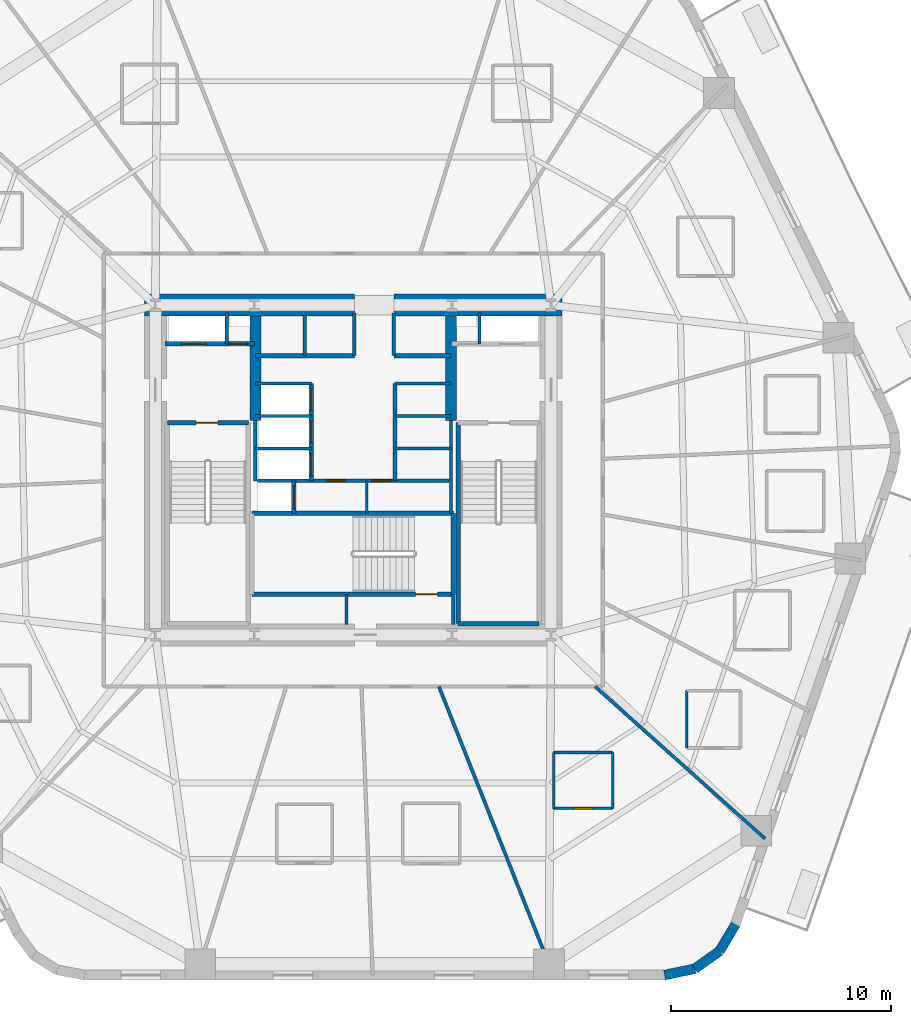
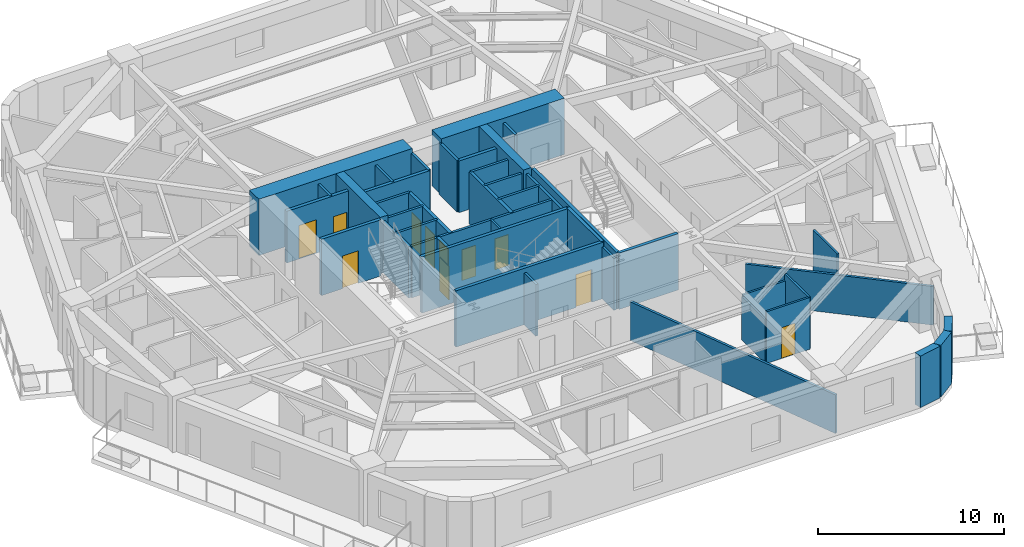
# One storey, part 4 of 10: 43 walls, 11 doors, 11 openings.
"""IFC4 building model written with IfcOpenShell, lengths in metres."""

from ifc_helpers import new_model, si_unit, direction, frame, frame_2d, origin, place, context, subcontext, project, spatial, rectangle, extrude, material, layer, layer_set, type_object, element, fill, save


model = new_model("IFC4")

# Units and contexts
model_context = context("Model", 3, precision=1e-05, world=origin(), true_north=direction((0.0, 1.0)))
body_context = subcontext(model_context, "Body", "Model", "MODEL_VIEW")
ifc_project = project(units=[si_unit("LENGTHUNIT", "METRE"), si_unit("AREAUNIT", "SQUARE_METRE"), si_unit("VOLUMEUNIT", "CUBIC_METRE"), si_unit("PLANEANGLEUNIT", "RADIAN"), si_unit("MASSUNIT", "GRAM", prefix="KILO")], contexts=[model_context])

# Site, building, storey
site_placement = place(None, origin())
site = spatial("IfcSite", under=ifc_project, at=site_placement, CompositionType="ELEMENT")
building_placement = place(site_placement, origin())
building = spatial("IfcBuilding", under=site, at=building_placement, Name="Kilnhurst Terrace Hotel", CompositionType="ELEMENT")
storey_placement = place(building_placement, frame((0.0, 0.0, 52.699951171875)))
storey = spatial("IfcBuildingStorey", under=building, at=storey_placement, Name="L11", CompositionType="ELEMENT", Elevation=52.699951171875)

# Walls
ifc_material_1 = material(Name="Precast concrete C40/50", Category="concrete")
ifc_layer_1 = layer(ifc_material_1, 0.449951171875, Name="Precast concrete C40/50")
ifc_layer_set_1 = layer_set([ifc_layer_1], Name="Precast concrete C40/50")
wall_type_1 = type_object("IfcWallType", Name="WL-BRK-450", PredefinedType="SOLIDWALL", material=ifc_layer_set_1)
wall_1_placement = place(storey_placement, frame((14.168212890625, -22.97509765625, 0.0), z_axis=(0.0, 0.0, 1.0), x_axis=(0.978770371074, 0.204959900243, 0.0)))
element("IfcWall", 1, at=wall_1_placement, inside=storey, type_object=wall_type_1, Name="L11 Rounded Corner Brick Wall C2.1", PredefinedType="SOLIDWALL", context=body_context, shape_type="SweptSolid", body=[
    extrude(rectangle(XDim=1.405517578125, YDim=0.449951171875, at=frame_2d((0.70263671875, 0.0))), origin(), (0.0, 0.0, 1.0), 3.400146484375),
])
wall_2_placement = place(storey_placement, frame((15.5439453125, -22.68701171875, 0.0), z_axis=(0.0, 0.0, 1.0), x_axis=(0.814210854316, 0.580569276412, 0.0)))
element("IfcWall", 2, at=wall_2_placement, inside=storey, type_object=wall_type_1, Name="L11 Rounded Corner Brick Wall C2.2", PredefinedType="SOLIDWALL", context=body_context, shape_type="SweptSolid", body=[
    extrude(rectangle(XDim=1.38134765625, YDim=0.449951171875, at=frame_2d((0.690673828125, 0.0))), origin(), (0.0, 0.0, 1.0), 3.400146484375),
])
wall_3_placement = place(storey_placement, frame((16.668701171875, -21.885009765625, 0.0), z_axis=(0.0, 0.0, 1.0), x_axis=(0.512936712947, 0.858426425799, 0.0)))
element("IfcWall", 3, at=wall_3_placement, inside=storey, type_object=wall_type_1, Name="L11 Rounded Corner Brick Wall C2.3", PredefinedType="SOLIDWALL", context=body_context, shape_type="SweptSolid", body=[
    extrude(rectangle(XDim=1.405517578125, YDim=0.449951171875, at=frame_2d((0.70263671875, 0.0))), origin(), (0.0, 0.0, 1.0), 3.400146484375),
])
ifc_material_2 = material(Name="Concrete C80/95", Category="concrete")
ifc_layer_2 = layer(ifc_material_2, 1.0, Name="Concrete C80/95")
ifc_layer_set_2 = layer_set([ifc_layer_2], Name="Concrete C80/95")
wall_type_2 = type_object("IfcWallType", Name="WL-CORE-1000", PredefinedType="SHEAR", material=ifc_layer_set_2)
wall_4_placement = place(storey_placement, frame((-9.5, 7.5, 0.0), z_axis=(0.0, 0.0, 1.0), x_axis=(1.0, 0.0, 0.0)))
element("IfcWall", 4, at=wall_4_placement, inside=storey, type_object=wall_type_2, Name="L11 Core North West Shear Wall", PredefinedType="SHEAR", context=body_context, shape_type="SweptSolid", body=[
    extrude(rectangle(XDim=9.550048828125, YDim=1.0, at=frame_2d((4.77490234375, 0.0))), origin(), (0.0, 0.0, 1.0), 3.699951171875),
])
wall_5_placement = place(storey_placement, frame((1.85009765625, 7.5, 0.0), z_axis=(0.0, 0.0, 1.0), x_axis=(1.0, 0.0, 0.0)))
element("IfcWall", 5, at=wall_5_placement, inside=storey, type_object=wall_type_2, Name="L11 Core North East Shear Wall", PredefinedType="SHEAR", context=body_context, shape_type="SweptSolid", body=[
    extrude(rectangle(XDim=7.64990234375, YDim=1.0, at=frame_2d((3.824951171875, 0.0))), origin(), (0.0, 0.0, 1.0), 3.699951171875),
])
ifc_material_3 = material(Name="Concrete C60/75", Category="concrete")
ifc_layer_3 = layer(ifc_material_3, 0.5, Name="Concrete C60/75")
ifc_layer_set_3 = layer_set([ifc_layer_3], Name="Concrete C60/75")
wall_type_3 = type_object("IfcWallType", Name="WL-CORE-WEB-500", PredefinedType="SHEAR", material=ifc_layer_set_3)
for number, where, z_axis, x_axis, name in (
    (6, (-4.449951171875, 2.25, 0.0), (0.0, 0.0, 1.0), (0.0, 1.0, 0.0), "L11 Core Internal West Shear Web"),
    (7, (4.449951171875, 2.25, 0.0), (0.0, 0.0, 1.0), (0.0, 1.0, 0.0), "L11 Core Internal East Shear Web"),
):
    element("IfcWall", number, at=place(storey_placement, frame(where, z_axis=z_axis, x_axis=x_axis)), inside=storey, type_object=wall_type_3, Name=name, PredefinedType="SHEAR", context=body_context, shape_type="SweptSolid", body=[
        extrude(rectangle(XDim=4.75, YDim=0.5, at=frame_2d((2.375, 0.0))), origin(), (0.0, 0.0, 1.0), 3.699951171875),
    ])
ifc_material_4 = material(Name="STC-58 Acoustic Twin-Frame Guestroom Demising Partition")
ifc_layer_4 = layer(ifc_material_4, 0.14990234375, Name="STC-58 Acoustic Twin-Frame Guestroom Demising Partition")
ifc_layer_set_4 = layer_set([ifc_layer_4], Name="STC-58 Acoustic Twin-Frame Guestroom Demising Partition")
wall_type_4 = type_object("IfcWallType", Name="WL-DEM-150", PredefinedType="PARTITIONING", material=ifc_layer_set_4)
wall_6_placement = place(storey_placement, frame((3.90185546875, -9.85009765625, 0.0), z_axis=(0.0, 0.0, 1.0), x_axis=(0.36828765711, -0.929711891728, 0.0)))
element("IfcWall", 8, at=wall_6_placement, inside=storey, type_object=wall_type_4, Name="L11 Interior Wall WL-L11-DEM-COL10-16-1", PredefinedType="PARTITIONING", context=body_context, shape_type="SweptSolid", body=[
    extrude(rectangle(XDim=14.1171875, YDim=0.14990234375, at=frame_2d((7.05859375, 0.0))), origin(), (0.0, 0.0, 1.0), 2.5400390625),
])
wall_7_placement = place(storey_placement, frame((11.006591796875, -9.85009765625, 0.0), z_axis=(0.0, 0.0, 1.0), x_axis=(0.745177305978, -0.666866390407, 0.0)))
element("IfcWall", 9, at=wall_7_placement, inside=storey, type_object=wall_type_4, Name="L11 Interior Wall WL-L11-DEM-COL11-17-1", PredefinedType="PARTITIONING", context=body_context, shape_type="SweptSolid", body=[
    extrude(rectangle(XDim=10.375244140625, YDim=0.14990234375, at=frame_2d((5.1875, 0.0))), origin(), (0.0, 0.0, 1.0), 2.5400390625),
])
ifc_material_5 = material(Name="120 mm Moisture-Resistant Tile-Backed Bathroom Partition")
ifc_layer_5 = layer(ifc_material_5, 0.1201171875, Name="120 mm Moisture-Resistant Tile-Backed Bathroom Partition")
ifc_layer_set_5 = layer_set([ifc_layer_5], Name="120 mm Moisture-Resistant Tile-Backed Bathroom Partition")
wall_type_5 = type_object("IfcWallType", Name="WL-PART-120", PredefinedType="PARTITIONING", material=ifc_layer_set_5)
wall_8_placement = place(storey_placement, frame((0.6201171875, -1.971923828125, 0.0), z_axis=(0.0, 0.0, 1.0), x_axis=(0.0, 1.0, 0.0)))
element("IfcWall", 10, at=wall_8_placement, inside=storey, type_object=wall_type_5, Name="L11 Interior Wall WL-L11-BOH-C1", PredefinedType="PARTITIONING", context=body_context, shape_type="SweptSolid", body=[
    extrude(rectangle(XDim=1.471923828125, YDim=0.1201171875, at=frame_2d((0.73583984375, 0.0))), origin(), (0.0, 0.0, 1.0), 3.400146484375),
])

# Wall, opening, door
wall_9_placement = place(storey_placement, frame((9.1220703125, -15.387939453125, 0.0), z_axis=(0.0, 0.0, 1.0), x_axis=(1.0, 0.0, 0.0)))
wall_9 = element("IfcWall", 11, at=wall_9_placement, inside=storey, type_object=wall_type_5, Name="L11 Interior Wall WL-L11-BTH-16-1", PredefinedType="PARTITIONING", context=body_context, shape_type="SweptSolid", body=[
    extrude(rectangle(XDim=2.679931640625, YDim=0.1201171875, at=frame_2d((1.33984375, 0.0))), origin(), (0.0, 0.0, 1.0), 3.400146484375),
])
opening_1_placement = place(wall_9_placement, frame((0.9150390625, 0.0, 0.0)))
opening_1 = element("IfcOpeningElement", 12, at=opening_1_placement, cuts=wall_9, Name="Opening D-08A", PredefinedType="OPENING", context=body_context, shape_type="SweptSolid", body=[
    extrude(rectangle(XDim=0.85009765625, YDim=2.030029296875, at=frame_2d((0.425048828125, 1.01513671875))), frame((0.0, 0.070068359375, 0.0), z_axis=(0.0, -1.0, 0.0), x_axis=(1.0, 0.0, 0.0)), (0.0, 0.0, 1.0), 0.14013671875),
])
ifc_material_6 = material(Name="Moisture-Resistant Lacquered En-suite Bathroom Door")
door_type_1 = type_object("IfcDoorType", Name="DR-INT-850", OperationType="NOTDEFINED", PredefinedType="DOOR", material=ifc_material_6)
door_1_placement = place(opening_1_placement, origin())
door_1 = element("IfcDoor", 13, at=door_1_placement, inside=storey, type_object=door_type_1, Name="L11 En-suite Bathroom Door 16", OperationType="SINGLE_SWING_LEFT", OverallHeight=2.030029296875, OverallWidth=0.85009765625, PredefinedType="DOOR", context=body_context, shape_type="SweptSolid", body=[
    extrude(rectangle(XDim=0.85009765625, YDim=2.030029296875, at=frame_2d((0.425048828125, 1.01513671875))), frame((0.0, 0.02490234375, 0.0), z_axis=(0.0, -1.0, 0.0), x_axis=(1.0, 0.0, 0.0)), (0.0, 0.0, 1.0), 0.050048828125),
])
fill(opening_1, door_1)

# Walls
wall_10_placement = place(storey_placement, frame((11.802001953125, -15.387939453125, 0.0), z_axis=(0.0, 0.0, 1.0), x_axis=(0.0, 1.0, 0.0)))
element("IfcWall", 14, at=wall_10_placement, inside=storey, type_object=wall_type_5, Name="L11 Interior Wall WL-L11-BTH-16-2", PredefinedType="PARTITIONING", context=body_context, shape_type="SweptSolid", body=[
    extrude(rectangle(XDim=2.5400390625, YDim=0.1201171875, at=frame_2d((1.27001953125, 0.0))), origin(), (0.0, 0.0, 1.0), 3.400146484375),
])
wall_11_placement = place(storey_placement, frame((11.802001953125, -12.847900390625, 0.0), z_axis=(0.0, 0.0, 1.0), x_axis=(-1.0, 0.0, 0.0)))
element("IfcWall", 15, at=wall_11_placement, inside=storey, type_object=wall_type_5, Name="L11 Interior Wall WL-L11-BTH-16-3", PredefinedType="PARTITIONING", context=body_context, shape_type="SweptSolid", body=[
    extrude(rectangle(XDim=2.679931640625, YDim=0.1201171875, at=frame_2d((1.33984375, 0.0))), origin(), (0.0, 0.0, 1.0), 2.972412109375),
])
wall_12_placement = place(storey_placement, frame((9.1220703125, -12.847900390625, 0.0), z_axis=(0.0, 0.0, 1.0), x_axis=(0.0, -1.0, 0.0)))
element("IfcWall", 16, at=wall_12_placement, inside=storey, type_object=wall_type_5, Name="L11 Interior Wall WL-L11-BTH-16-4", PredefinedType="PARTITIONING", context=body_context, shape_type="SweptSolid", body=[
    extrude(rectangle(XDim=2.5400390625, YDim=0.1201171875, at=frame_2d((1.27001953125, 0.0))), origin(), (0.0, 0.0, 1.0), 2.840087890625),
])
wall_13_placement = place(storey_placement, frame((15.177978515625, -10.037109375, 0.0), z_axis=(0.0, 0.0, 1.0), x_axis=(0.0, -1.0, 0.0)))
element("IfcWall", 17, at=wall_13_placement, inside=storey, type_object=wall_type_5, Name="L11 Interior Wall WL-L11-BTH-17-4", PredefinedType="PARTITIONING", context=body_context, shape_type="SweptSolid", body=[
    extrude(rectangle(XDim=2.60986328125, YDim=0.1201171875, at=frame_2d((1.304931640625, 0.0))), origin(), (0.0, 0.0, 1.0), 3.400146484375),
])
ifc_material_7 = material(Name="Fire-Rated Gypsum Shaftliner Assembly")
ifc_layer_6 = layer(ifc_material_7, 0.14990234375, Name="Fire-Rated Gypsum Shaftliner Assembly")
ifc_layer_set_6 = layer_set([ifc_layer_6], Name="Fire-Rated Gypsum Shaftliner Assembly")
wall_type_6 = type_object("IfcWallType", Name="WL-SHAFT-150", PredefinedType="PARTITIONING", material=ifc_layer_set_6)
for number, where, z_axis, x_axis, name in (
    (18, (-0.300048828125, -7.02001953125, 0.0), (0.0, 0.0, 1.0), (0.0, 1.0, 0.0), "L11 Interior Wall WL-L11-ST3-PSGW"),
    (19, (4.55810546875, -7.02001953125, 0.0), (0.0, 0.0, 1.0), (0.0, 1.0, 0.0), "L11 Interior Wall WL-L11-ST3-PSGE"),
):
    element("IfcWall", number, at=place(storey_placement, frame(where, z_axis=z_axis, x_axis=x_axis)), inside=storey, type_object=wall_type_6, Name=name, PredefinedType="PARTITIONING", context=body_context, shape_type="SweptSolid", body=[
        extrude(rectangle(XDim=1.362060546875, YDim=0.14990234375, at=frame_2d((0.68115234375, 0.0))), origin(), (0.0, 0.0, 1.0), 3.400146484375),
    ])
for number, where, z_axis, x_axis, name in (
    (20, (-5.75, 5.739990234375, 0.0), (0.0, 0.0, 1.0), (0.0, 1.0, 0.0), "L11 Interior Wall WL-L11-RIS1-DIV"),
    (21, (5.75, 5.739990234375, 0.0), (0.0, 0.0, 1.0), (0.0, 1.0, 0.0), "L11 Interior Wall WL-L11-RIS2-DIV"),
):
    element("IfcWall", number, at=place(storey_placement, frame(where, z_axis=z_axis, x_axis=x_axis)), inside=storey, type_object=wall_type_6, Name=name, PredefinedType="PARTITIONING", context=body_context, shape_type="SweptSolid", body=[
        extrude(rectangle(XDim=1.409912109375, YDim=0.14990234375, at=frame_2d((0.705078125, 0.0))), origin(), (0.0, 0.0, 1.0), 3.400146484375),
    ])
wall_14_placement = place(storey_placement, frame((-2.199951171875, 5.199951171875, 0.0), z_axis=(0.0, 0.0, 1.0), x_axis=(0.0, 1.0, 0.0)))
element("IfcWall", 22, at=wall_14_placement, inside=storey, type_object=wall_type_6, Name="L11 Interior Wall WL-L11-HR-DIV1", PredefinedType="PARTITIONING", context=body_context, shape_type="SweptSolid", body=[
    extrude(rectangle(XDim=1.85009765625, YDim=0.14990234375, at=frame_2d((0.925048828125, 0.0))), origin(), (0.0, 0.0, 1.0), 3.400146484375),
])
for number, where, z_axis, x_axis, name in (
    (23, (0.050048828125, 5.199951171875, 0.0), (0.0, 0.0, 1.0), (0.0, 1.0, 0.0), "L11 Interior Wall WL-L11-HR-PORTAL-W"),
    (24, (1.85009765625, 5.199951171875, 0.0), (0.0, 0.0, 1.0), (0.0, 1.0, 0.0), "L11 Interior Wall WL-L11-HR-PORTAL-E"),
):
    element("IfcWall", number, at=place(storey_placement, frame(where, z_axis=z_axis, x_axis=x_axis)), inside=storey, type_object=wall_type_6, Name=name, PredefinedType="PARTITIONING", context=body_context, shape_type="SweptSolid", body=[
        extrude(rectangle(XDim=1.949951171875, YDim=0.14990234375, at=frame_2d((0.97509765625, 0.0))), origin(), (0.0, 0.0, 1.0), 3.400146484375),
    ])
wall_15_placement = place(storey_placement, frame((-4.449951171875, -0.5, 0.0), z_axis=(0.0, 0.0, 1.0), x_axis=(0.0, 1.0, 0.0)))
element("IfcWall", 25, at=wall_15_placement, inside=storey, type_object=wall_type_6, Name="L11 Interior Wall WL-L11-XLOB-W", PredefinedType="PARTITIONING", context=body_context, shape_type="SweptSolid", body=[
    extrude(rectangle(XDim=2.75, YDim=0.14990234375, at=frame_2d((1.375, 0.0))), origin(), (0.0, 0.0, 1.0), 3.400146484375),
])
wall_16_placement = place(storey_placement, frame((4.449951171875, -1.971923828125, 0.0), z_axis=(0.0, 0.0, 1.0), x_axis=(0.0, 1.0, 0.0)))
element("IfcWall", 26, at=wall_16_placement, inside=storey, type_object=wall_type_6, Name="L11 Interior Wall WL-L11-XLOB-E", PredefinedType="PARTITIONING", context=body_context, shape_type="SweptSolid", body=[
    extrude(rectangle(XDim=4.221923828125, YDim=0.14990234375, at=frame_2d((2.11083984375, 0.0))), origin(), (0.0, 0.0, 1.0), 3.400146484375),
])
for number, where, z_axis, x_axis, name in (
    (27, (-4.449951171875, 3.93994140625, 0.0), (0.0, 0.0, 1.0), (1.0, 0.0, 0.0), "L11 Interior Wall WL-L11-LR-NORTH"),
    (28, (-4.449951171875, 0.97998046875, 0.0), (0.0, 0.0, 1.0), (1.0, 0.0, 0.0), "L11 Interior Wall WL-L11-LR-D1"),
    (29, (-4.449951171875, 2.4599609375, 0.0), (0.0, 0.0, 1.0), (1.0, 0.0, 0.0), "L11 Interior Wall WL-L11-LR-D2"),
    (30, (1.89990234375, 3.93994140625, 0.0), (0.0, 0.0, 1.0), (1.0, 0.0, 0.0), "L11 Interior Wall WL-L11-MR-NORTH"),
    (31, (1.89990234375, 0.97998046875, 0.0), (0.0, 0.0, 1.0), (1.0, 0.0, 0.0), "L11 Interior Wall WL-L11-MR-D1"),
    (32, (1.89990234375, 2.4599609375, 0.0), (0.0, 0.0, 1.0), (1.0, 0.0, 0.0), "L11 Interior Wall WL-L11-MR-D2"),
):
    element("IfcWall", number, at=place(storey_placement, frame(where, z_axis=z_axis, x_axis=x_axis)), inside=storey, type_object=wall_type_6, Name=name, PredefinedType="PARTITIONING", context=body_context, shape_type="SweptSolid", body=[
        extrude(rectangle(XDim=2.550048828125, YDim=0.14990234375, at=frame_2d((1.27490234375, 0.0))), origin(), (0.0, 0.0, 1.0), 3.400146484375),
    ])

# Wall, openings, doors
wall_17_placement = place(storey_placement, frame((-4.360107421875, -0.489990234375, 0.0), z_axis=(0.0, 0.0, 1.0), x_axis=(1.0, 0.0, 0.0)))
wall_17 = element("IfcWall", 33, at=wall_17_placement, inside=storey, type_object=wall_type_6, Name="L11 Interior Wall WL-L11-BOH-N", PredefinedType="PARTITIONING", context=body_context, shape_type="SweptSolid", body=[
    extrude(rectangle(XDim=8.72021484375, YDim=0.14990234375, at=frame_2d((4.360107421875, 0.0))), origin(), (0.0, 0.0, 1.0), 3.400146484375),
])
opening_2_placement = place(wall_17_placement, frame((3.159912109375, 0.0, 0.0)))
opening_2 = element("IfcOpeningElement", 34, at=opening_2_placement, cuts=wall_17, Name="Opening D-60D", PredefinedType="OPENING", context=body_context, shape_type="SweptSolid", body=[
    extrude(rectangle(XDim=0.85009765625, YDim=2.030029296875, at=frame_2d((0.425048828125, 1.01513671875))), frame((0.0, 0.0849609375, 0.0), z_axis=(0.0, -1.0, 0.0), x_axis=(1.0, 0.0, 0.0)), (0.0, 0.0, 1.0), 0.169921875),
])
opening_3_placement = place(wall_17_placement, frame((5.2099609375, 0.0, 0.0)))
opening_3 = element("IfcOpeningElement", 35, at=opening_3_placement, cuts=wall_17, Name="Opening D-60D", PredefinedType="OPENING", context=body_context, shape_type="SweptSolid", body=[
    extrude(rectangle(XDim=0.85009765625, YDim=2.030029296875, at=frame_2d((0.425048828125, 1.01513671875))), frame((0.0, 0.0849609375, 0.0), z_axis=(0.0, -1.0, 0.0), x_axis=(1.0, 0.0, 0.0)), (0.0, 0.0, 1.0), 0.169921875),
])
ifc_material_8 = material(Name="Painted Hollow Metal Steel ASTM A36 Riser Door", Category="steel")
door_type_2 = type_object("IfcDoorType", Name="DR-FD60-850", OperationType="NOTDEFINED", PredefinedType="DOOR", material=ifc_material_8)
door_2_placement = place(opening_2_placement, origin())
door_2 = element("IfcDoor", 36, at=door_2_placement, inside=storey, type_object=door_type_2, Name="L11 Housekeeping Laundry Door", OperationType="SINGLE_SWING_LEFT", OverallHeight=2.030029296875, OverallWidth=0.85009765625, PredefinedType="DOOR", context=body_context, shape_type="SweptSolid", body=[
    extrude(rectangle(XDim=0.85009765625, YDim=2.030029296875, at=frame_2d((0.425048828125, 1.01513671875))), frame((0.0, 0.02490234375, 0.0), z_axis=(0.0, -1.0, 0.0), x_axis=(1.0, 0.0, 0.0)), (0.0, 0.0, 1.0), 0.050048828125),
])
fill(opening_2, door_2)
door_3_placement = place(opening_3_placement, origin())
door_3 = element("IfcDoor", 37, at=door_3_placement, inside=storey, type_object=door_type_2, Name="L11 Room Service Kitchen Door", OperationType="SINGLE_SWING_RIGHT", OverallHeight=2.030029296875, OverallWidth=0.85009765625, PredefinedType="DOOR", context=body_context, shape_type="SweptSolid", body=[
    extrude(rectangle(XDim=0.85009765625, YDim=2.030029296875, at=frame_2d((0.425048828125, 1.01513671875))), frame((0.0, 0.02490234375, 0.0), z_axis=(0.0, -1.0, 0.0), x_axis=(1.0, 0.0, 0.0)), (0.0, 0.0, 1.0), 0.050048828125),
])
fill(opening_3, door_3)

ifc_material_9 = material(Name="Autoclaved Aerated Concrete C30/37 and Gypsum Shaft Assembly", Category="concrete")
ifc_layer_7 = layer(ifc_material_9, 0.199951171875, Name="Autoclaved Aerated Concrete C30/37 and Gypsum Shaft Assembly")
ifc_layer_set_7 = layer_set([ifc_layer_7], Name="Autoclaved Aerated Concrete C30/37 and Gypsum Shaft Assembly")
wall_type_7 = type_object("IfcWallType", Name="WL-SHAFT-200", PredefinedType="PARTITIONING", material=ifc_layer_set_7)
wall_18_placement = place(storey_placement, frame((-8.550048828125, 5.739990234375, 0.0), z_axis=(0.0, 0.0, 1.0), x_axis=(1.0, 0.0, 0.0)))
wall_18 = element("IfcWall", 38, at=wall_18_placement, inside=storey, type_object=wall_type_7, Name="L11 Interior Wall WL-L11-FSAE1-S", PredefinedType="PARTITIONING", context=body_context, shape_type="SweptSolid", body=[
    extrude(rectangle(XDim=4.050048828125, YDim=0.199951171875, at=frame_2d((2.02490234375, 0.0))), origin(), (0.0, 0.0, 1.0), 3.400146484375),
])
opening_4_placement = place(wall_18_placement, frame((0.75, 0.0, 0.0)))
opening_4 = element("IfcOpeningElement", 39, at=opening_4_placement, cuts=wall_18, Name="Opening LD-F1", PredefinedType="OPENING", context=body_context, shape_type="SweptSolid", body=[
    extrude(rectangle(XDim=1.10009765625, YDim=2.199951171875, at=frame_2d((0.550048828125, 1.10009765625))), frame((0.0, 0.10986328125, 0.0), z_axis=(0.0, -1.0, 0.0), x_axis=(1.0, 0.0, 0.0)), (0.0, 0.0, 1.0), 0.219970703125),
])
opening_5_placement = place(wall_18_placement, frame((2.89990234375, 0.0, 0.0)))
opening_5 = element("IfcOpeningElement", 40, at=opening_5_placement, cuts=wall_18, Name="Opening D-60D", PredefinedType="OPENING", context=body_context, shape_type="SweptSolid", body=[
    extrude(rectangle(XDim=0.85009765625, YDim=2.030029296875, at=frame_2d((0.425048828125, 1.01513671875))), frame((0.0, 0.10986328125, 0.0), z_axis=(0.0, -1.0, 0.0), x_axis=(1.0, 0.0, 0.0)), (0.0, 0.0, 1.0), 0.219970703125),
])
door_4_placement = place(opening_5_placement, origin())
door_4 = element("IfcDoor", 41, at=door_4_placement, inside=storey, type_object=door_type_2, Name="L11 Electrical Riser Door", OperationType="SINGLE_SWING_LEFT", OverallHeight=2.030029296875, OverallWidth=0.85009765625, PredefinedType="DOOR", context=body_context, shape_type="SweptSolid", body=[
    extrude(rectangle(XDim=0.85009765625, YDim=2.030029296875, at=frame_2d((0.425048828125, 1.01513671875))), frame((0.0, 0.02490234375, 0.0), z_axis=(0.0, -1.0, 0.0), x_axis=(1.0, 0.0, 0.0)), (0.0, 0.0, 1.0), 0.050048828125),
])
fill(opening_5, door_4)
ifc_material_10 = material(Name="Bronze-Anodized Stainless Steel AISI 316L Sliding Door", Category="steel")
door_type_3 = type_object("IfcDoorType", Name="DR-LIFT-1100", OperationType="NOTDEFINED", PredefinedType="DOOR", material=ifc_material_10)
door_5_placement = place(opening_4_placement, origin())
door_5 = element("IfcDoor", 42, at=door_5_placement, inside=storey, type_object=door_type_3, Name="L11 FSAE-1 Landing Door", OperationType="SLIDING_TO_LEFT", OverallHeight=2.199951171875, OverallWidth=1.10009765625, PredefinedType="DOOR", context=body_context, shape_type="SweptSolid", body=[
    extrude(rectangle(XDim=1.10009765625, YDim=2.199951171875, at=frame_2d((0.550048828125, 1.10009765625))), frame((0.0, 0.02490234375, 0.0), z_axis=(0.0, -1.0, 0.0), x_axis=(1.0, 0.0, 0.0)), (0.0, 0.0, 1.0), 0.050048828125),
])
fill(opening_4, door_5)

# Wall, opening, door
wall_19_placement = place(storey_placement, frame((-2.699951171875, -1.971923828125, 0.0), z_axis=(0.0, 0.0, 1.0), x_axis=(0.0, 1.0, 0.0)))
wall_19 = element("IfcWall", 43, at=wall_19_placement, inside=storey, type_object=wall_type_7, Name="L11 Interior Wall WL-L11-SRV1-E", PredefinedType="PARTITIONING", context=body_context, shape_type="SweptSolid", body=[
    extrude(rectangle(XDim=1.471923828125, YDim=0.199951171875, at=frame_2d((0.73583984375, 0.0))), origin(), (0.0, 0.0, 1.0), 3.400146484375),
])
opening_6_placement = place(wall_19_placement, frame((0.239990234375, 0.0, 0.0)))
opening_6 = element("IfcOpeningElement", 44, at=opening_6_placement, cuts=wall_19, Name="Opening LD-SV", PredefinedType="OPENING", context=body_context, shape_type="SweptSolid", body=[
    extrude(rectangle(XDim=1.0, YDim=2.199951171875, at=frame_2d((0.5, 1.10009765625))), frame((0.0, 0.10986328125, 0.0), z_axis=(0.0, -1.0, 0.0), x_axis=(1.0, 0.0, 0.0)), (0.0, 0.0, 1.0), 0.219970703125),
])
door_type_4 = type_object("IfcDoorType", Name="DR-LIFT-1000", OperationType="NOTDEFINED", PredefinedType="DOOR", material=ifc_material_10)
door_6_placement = place(opening_6_placement, origin())
door_6 = element("IfcDoor", 45, at=door_6_placement, inside=storey, type_object=door_type_4, Name="L11 Service Lift SRV-1 Landing Door", OperationType="SLIDING_TO_LEFT", OverallHeight=2.199951171875, OverallWidth=1.0, PredefinedType="DOOR", context=body_context, shape_type="SweptSolid", body=[
    extrude(rectangle(XDim=1.0, YDim=2.199951171875, at=frame_2d((0.5, 1.10009765625))), frame((0.0, 0.02490234375, 0.0), z_axis=(0.0, -1.0, 0.0), x_axis=(1.0, 0.0, 0.0)), (0.0, 0.0, 1.0), 0.050048828125),
])
fill(opening_6, door_6)

# Walls
wall_20_placement = place(storey_placement, frame((-4.449951171875, 5.199951171875, 0.0), z_axis=(0.0, 0.0, 1.0), x_axis=(1.0, 0.0, 0.0)))
element("IfcWall", 46, at=wall_20_placement, inside=storey, type_object=wall_type_7, Name="L11 Interior Wall WL-L11-HR-SW", PredefinedType="PARTITIONING", context=body_context, shape_type="SweptSolid", body=[
    extrude(rectangle(XDim=4.5, YDim=0.199951171875, at=frame_2d((2.25, 0.0))), origin(), (0.0, 0.0, 1.0), 3.400146484375),
])
wall_21_placement = place(storey_placement, frame((1.85009765625, 5.199951171875, 0.0), z_axis=(0.0, 0.0, 1.0), x_axis=(1.0, 0.0, 0.0)))
element("IfcWall", 47, at=wall_21_placement, inside=storey, type_object=wall_type_7, Name="L11 Interior Wall WL-L11-HR-SE", PredefinedType="PARTITIONING", context=body_context, shape_type="SweptSolid", body=[
    extrude(rectangle(XDim=2.599853515625, YDim=0.199951171875, at=frame_2d((1.2998046875, 0.0))), origin(), (0.0, 0.0, 1.0), 3.400146484375),
])

# Wall, openings, doors
wall_22_placement = place(storey_placement, frame((-1.89990234375, -0.5, 0.0), z_axis=(0.0, 0.0, 1.0), x_axis=(0.0, 1.0, 0.0)))
wall_22 = element("IfcWall", 48, at=wall_22_placement, inside=storey, type_object=wall_type_7, Name="L11 Interior Wall WL-L11-LR-FRONT", PredefinedType="PARTITIONING", context=body_context, shape_type="SweptSolid", body=[
    extrude(rectangle(XDim=4.43994140625, YDim=0.199951171875, at=frame_2d((2.219970703125, 0.0))), origin(), (0.0, 0.0, 1.0), 3.400146484375),
])
opening_7_placement = place(wall_22_placement, frame((0.239990234375, 0.0, 0.0)))
opening_7 = element("IfcOpeningElement", 49, at=opening_7_placement, cuts=wall_22, Name="Opening LD-LR", PredefinedType="OPENING", context=body_context, shape_type="SweptSolid", body=[
    extrude(rectangle(XDim=1.0, YDim=2.199951171875, at=frame_2d((0.5, 1.10009765625))), frame((0.0, 0.10986328125, 0.0), z_axis=(0.0, -1.0, 0.0), x_axis=(1.0, 0.0, 0.0)), (0.0, 0.0, 1.0), 0.219970703125),
])
opening_8_placement = place(wall_22_placement, frame((1.719970703125, 0.0, 0.0)))
opening_8 = element("IfcOpeningElement", 50, at=opening_8_placement, cuts=wall_22, Name="Opening LD-LR", PredefinedType="OPENING", context=body_context, shape_type="SweptSolid", body=[
    extrude(rectangle(XDim=1.0, YDim=2.199951171875, at=frame_2d((0.5, 1.10009765625))), frame((0.0, 0.10986328125, 0.0), z_axis=(0.0, -1.0, 0.0), x_axis=(1.0, 0.0, 0.0)), (0.0, 0.0, 1.0), 0.219970703125),
])
opening_9_placement = place(wall_22_placement, frame((3.199951171875, 0.0, 0.0)))
opening_9 = element("IfcOpeningElement", 51, at=opening_9_placement, cuts=wall_22, Name="Opening LD-LR", PredefinedType="OPENING", context=body_context, shape_type="SweptSolid", body=[
    extrude(rectangle(XDim=1.0, YDim=2.199951171875, at=frame_2d((0.5, 1.10009765625))), frame((0.0, 0.10986328125, 0.0), z_axis=(0.0, -1.0, 0.0), x_axis=(1.0, 0.0, 0.0)), (0.0, 0.0, 1.0), 0.219970703125),
])
door_7_placement = place(opening_7_placement, origin())
door_7 = element("IfcDoor", 52, at=door_7_placement, inside=storey, type_object=door_type_4, Name="L11 Low Rise Lift LR-1 Landing Door", OperationType="SLIDING_TO_LEFT", OverallHeight=2.199951171875, OverallWidth=1.0, PredefinedType="DOOR", context=body_context, shape_type="SweptSolid", body=[
    extrude(rectangle(XDim=1.0, YDim=2.199951171875, at=frame_2d((0.5, 1.10009765625))), frame((0.0, 0.02490234375, 0.0), z_axis=(0.0, -1.0, 0.0), x_axis=(1.0, 0.0, 0.0)), (0.0, 0.0, 1.0), 0.050048828125),
])
fill(opening_7, door_7)
door_8_placement = place(opening_8_placement, origin())
door_8 = element("IfcDoor", 53, at=door_8_placement, inside=storey, type_object=door_type_4, Name="L11 Low Rise Lift LR-2 Landing Door", OperationType="SLIDING_TO_LEFT", OverallHeight=2.199951171875, OverallWidth=1.0, PredefinedType="DOOR", context=body_context, shape_type="SweptSolid", body=[
    extrude(rectangle(XDim=1.0, YDim=2.199951171875, at=frame_2d((0.5, 1.10009765625))), frame((0.0, 0.02490234375, 0.0), z_axis=(0.0, -1.0, 0.0), x_axis=(1.0, 0.0, 0.0)), (0.0, 0.0, 1.0), 0.050048828125),
])
fill(opening_8, door_8)
door_9_placement = place(opening_9_placement, origin())
door_9 = element("IfcDoor", 54, at=door_9_placement, inside=storey, type_object=door_type_4, Name="L11 Low Rise Lift LR-3 Landing Door", OperationType="SLIDING_TO_LEFT", OverallHeight=2.199951171875, OverallWidth=1.0, PredefinedType="DOOR", context=body_context, shape_type="SweptSolid", body=[
    extrude(rectangle(XDim=1.0, YDim=2.199951171875, at=frame_2d((0.5, 1.10009765625))), frame((0.0, 0.02490234375, 0.0), z_axis=(0.0, -1.0, 0.0), x_axis=(1.0, 0.0, 0.0)), (0.0, 0.0, 1.0), 0.050048828125),
])
fill(opening_9, door_9)

# Wall
wall_23_placement = place(storey_placement, frame((1.89990234375, -0.5, 0.0), z_axis=(0.0, 0.0, 1.0), x_axis=(0.0, 1.0, 0.0)))
element("IfcWall", 55, at=wall_23_placement, inside=storey, type_object=wall_type_7, Name="L11 Interior Wall WL-L11-MR-FRONT", PredefinedType="PARTITIONING", context=body_context, shape_type="SweptSolid", body=[
    extrude(rectangle(XDim=4.43994140625, YDim=0.199951171875, at=frame_2d((2.219970703125, 0.0))), origin(), (0.0, 0.0, 1.0), 3.400146484375),
])

# Wall, opening, door
ifc_material_11 = material(Name="Concrete C50/60", Category="concrete")
ifc_layer_8 = layer(ifc_material_11, 0.199951171875, Name="Concrete C50/60")
ifc_layer_set_8 = layer_set([ifc_layer_8], Name="Concrete C50/60")
wall_type_8 = type_object("IfcWallType", Name="WL-STAIR-RC-200", PredefinedType="SHEAR", material=ifc_layer_set_8)
wall_24_placement = place(storey_placement, frame((-8.4580078125, 2.157958984375, 0.0), z_axis=(0.0, 0.0, 1.0), x_axis=(1.0, 0.0, 0.0)))
wall_24 = element("IfcWall", 56, at=wall_24_placement, inside=storey, type_object=wall_type_8, Name="L11 Structural Stair Shaft Wall WL-L11-ST1-N", PredefinedType="SHEAR", context=body_context, shape_type="SweptSolid", body=[
    extrude(rectangle(XDim=3.68603515625, YDim=0.199951171875, at=frame_2d((1.843017578125, 0.0))), origin(), (0.0, 0.0, 1.0), 3.699951171875),
])
opening_10_placement = place(wall_24_placement, frame((1.300048828125, 0.0, 0.0)))
opening_10 = element("IfcOpeningElement", 57, at=opening_10_placement, cuts=wall_24, Name="Opening D-90B", PredefinedType="OPENING", context=body_context, shape_type="SweptSolid", body=[
    extrude(rectangle(XDim=1.0, YDim=2.14990234375, at=frame_2d((0.5, 1.074951171875))), frame((0.0, 0.10986328125, 0.0), z_axis=(0.0, -1.0, 0.0), x_axis=(1.0, 0.0, 0.0)), (0.0, 0.0, 1.0), 0.219970703125),
])
ifc_material_12 = material(Name="Painted Hollow Metal Steel ASTM A36 Fire Door", Category="steel")
door_type_5 = type_object("IfcDoorType", Name="DR-FD90-1000", OperationType="NOTDEFINED", PredefinedType="DOOR", material=ifc_material_12)
door_10_placement = place(opening_10_placement, origin())
door_10 = element("IfcDoor", 58, at=door_10_placement, inside=storey, type_object=door_type_5, Name="L11 Stair ST-1 Door", OperationType="SINGLE_SWING_LEFT", OverallHeight=2.14990234375, OverallWidth=1.0, PredefinedType="DOOR", context=body_context, shape_type="SweptSolid", body=[
    extrude(rectangle(XDim=1.0, YDim=2.14990234375, at=frame_2d((0.5, 1.074951171875))), frame((0.0, 0.02490234375, 0.0), z_axis=(0.0, -1.0, 0.0), x_axis=(1.0, 0.0, 0.0)), (0.0, 0.0, 1.0), 0.050048828125),
])
fill(opening_10, door_10)

# Walls
wall_25_placement = place(storey_placement, frame((4.77197265625, -6.985107421875, 0.0), z_axis=(0.0, 0.0, 1.0), x_axis=(0.0, 1.0, 0.0)))
element("IfcWall", 59, at=wall_25_placement, inside=storey, type_object=wall_type_8, Name="L11 Structural Stair Shaft Wall WL-L11-ST2-W", PredefinedType="SHEAR", context=body_context, shape_type="SweptSolid", body=[
    extrude(rectangle(XDim=9.14306640625, YDim=0.199951171875, at=frame_2d((4.571533203125, 0.0))), origin(), (0.0, 0.0, 1.0), 3.699951171875),
])
wall_26_placement = place(storey_placement, frame((4.77197265625, -6.985107421875, 0.0), z_axis=(0.0, 0.0, 1.0), x_axis=(1.0, 0.0, 0.0)))
element("IfcWall", 60, at=wall_26_placement, inside=storey, type_object=wall_type_8, Name="L11 Structural Stair Shaft Wall WL-L11-ST2-S", PredefinedType="SHEAR", context=body_context, shape_type="SweptSolid", body=[
    extrude(rectangle(XDim=3.68603515625, YDim=0.199951171875, at=frame_2d((1.843017578125, 0.0))), origin(), (0.0, 0.0, 1.0), 3.699951171875),
])

# Wall, opening, door
wall_27_placement = place(storey_placement, frame((-4.60791015625, -5.657958984375, 0.0), z_axis=(0.0, 0.0, 1.0), x_axis=(1.0, 0.0, 0.0)))
wall_27 = element("IfcWall", 61, at=wall_27_placement, inside=storey, type_object=wall_type_8, Name="L11 Structural Stair Shaft Wall WL-L11-ST3-S", PredefinedType="SHEAR", context=body_context, shape_type="SweptSolid", body=[
    extrude(rectangle(XDim=9.166015625, YDim=0.199951171875, at=frame_2d((4.5830078125, 0.0))), origin(), (0.0, 0.0, 1.0), 3.699951171875),
])
opening_11_placement = place(wall_27_placement, frame((7.449951171875, 0.0, 0.0)))
opening_11 = element("IfcOpeningElement", 62, at=opening_11_placement, cuts=wall_27, Name="Opening D-90B", PredefinedType="OPENING", context=body_context, shape_type="SweptSolid", body=[
    extrude(rectangle(XDim=1.0, YDim=2.14990234375, at=frame_2d((0.5, 1.074951171875))), frame((0.0, 0.10986328125, 0.0), z_axis=(0.0, -1.0, 0.0), x_axis=(1.0, 0.0, 0.0)), (0.0, 0.0, 1.0), 0.219970703125),
])
door_11_placement = place(opening_11_placement, origin())
door_11 = element("IfcDoor", 63, at=door_11_placement, inside=storey, type_object=door_type_5, Name="L11 Stair ST-3 Shaft Door", OperationType="SINGLE_SWING_LEFT", OverallHeight=2.14990234375, OverallWidth=1.0, PredefinedType="DOOR", context=body_context, shape_type="SweptSolid", body=[
    extrude(rectangle(XDim=1.0, YDim=2.14990234375, at=frame_2d((0.5, 1.074951171875))), frame((0.0, 0.02490234375, 0.0), z_axis=(0.0, -1.0, 0.0), x_axis=(1.0, 0.0, 0.0)), (0.0, 0.0, 1.0), 0.050048828125),
])
fill(opening_11, door_11)

# Walls
wall_28_placement = place(storey_placement, frame((-4.60791015625, -1.971923828125, 0.0), z_axis=(0.0, 0.0, 1.0), x_axis=(1.0, 0.0, 0.0)))
element("IfcWall", 64, at=wall_28_placement, inside=storey, type_object=wall_type_8, Name="L11 Structural Stair Shaft Wall WL-L11-ST3-N", PredefinedType="SHEAR", context=body_context, shape_type="SweptSolid", body=[
    extrude(rectangle(XDim=9.166015625, YDim=0.199951171875, at=frame_2d((4.5830078125, 0.0))), origin(), (0.0, 0.0, 1.0), 3.699951171875),
])
wall_29_placement = place(storey_placement, frame((4.55810546875, -5.657958984375, 0.0), z_axis=(0.0, 0.0, 1.0), x_axis=(0.0, 1.0, 0.0)))
element("IfcWall", 65, at=wall_29_placement, inside=storey, type_object=wall_type_8, Name="L11 Structural Stair Shaft Wall WL-L11-ST3-E", PredefinedType="SHEAR", context=body_context, shape_type="SweptSolid", body=[
    extrude(rectangle(XDim=3.68603515625, YDim=0.199951171875, at=frame_2d((1.843017578125, 0.0))), origin(), (0.0, 0.0, 1.0), 3.699951171875),
])

save(model, "model.ifc")
